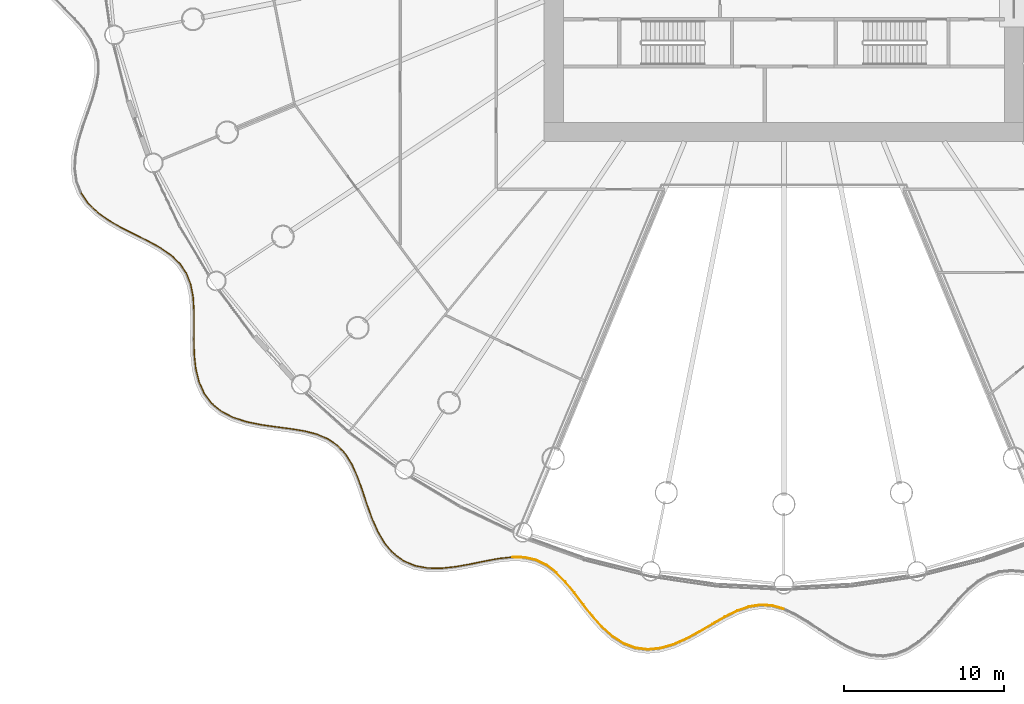
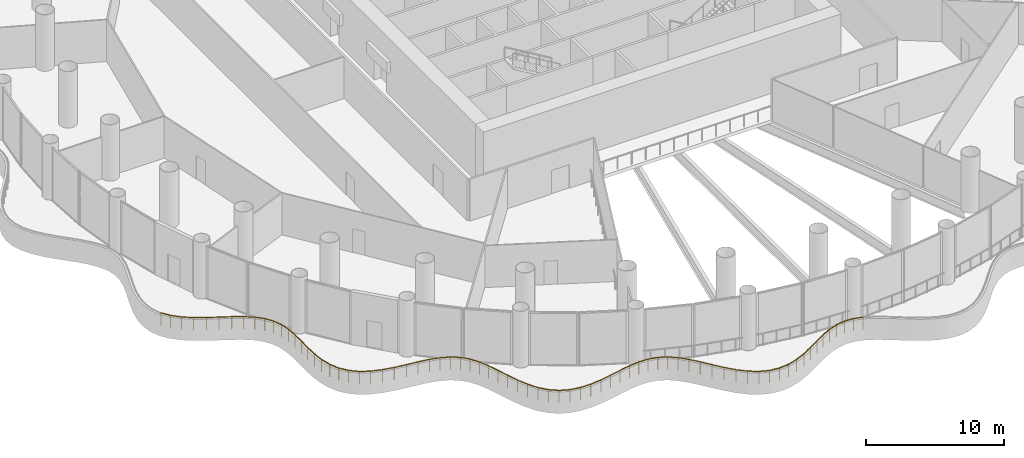
# One storey, part 29 of 36: 3 railings.
"""IFC4 building model written with IfcOpenShell, lengths in metres."""

from ifc_helpers import new_model, si_unit, direction, frame, origin, origin_2d, place, context, subcontext, project, spatial, circle, extrude, material, type_object, element, save


model = new_model("IFC4")

# Units and contexts
model_context = context("Model", 3, precision=1e-05, world=origin(), true_north=direction((0.0, 1.0)))
body_context = subcontext(model_context, "Body", "Model", "MODEL_VIEW")
ifc_project = project(units=[si_unit("LENGTHUNIT", "METRE"), si_unit("AREAUNIT", "SQUARE_METRE"), si_unit("VOLUMEUNIT", "CUBIC_METRE"), si_unit("PLANEANGLEUNIT", "RADIAN"), si_unit("MASSUNIT", "GRAM", prefix="KILO")], contexts=[model_context])

# Site, building, storey
site_placement = place(None, origin())
site = spatial("IfcSite", under=ifc_project, at=site_placement, CompositionType="ELEMENT")
building_placement = place(site_placement, origin())
building = spatial("IfcBuilding", under=site, at=building_placement, Name="Corvane Civic Tower", CompositionType="ELEMENT")
storey_placement = place(building_placement, frame((0.0, 0.0, 17.0)))
storey = spatial("IfcBuildingStorey", under=building, at=storey_placement, Name="L03", CompositionType="ELEMENT", Elevation=17.0)

# Railings
ifc_material = material(Name="Steel ASTM A572 Gr 50", Category="steel")
railing_type = type_object("IfcRailingType", Name="PODIUM-RL-GUARD-1100", PredefinedType="GUARDRAIL", material=ifc_material)
railing_1_placement = place(storey_placement, frame((-43.95751953125, -18.234130859375, 0.0)))
element("IfcRailing", 1, at=railing_1_placement, inside=storey, type_object=railing_type, Name="L03 ribbon guard 6", PredefinedType="GUARDRAIL", context=body_context, shape_type="SweptSolid", body=[
    extrude(circle(Radius=0.02392578125, at=origin_2d()), frame((0.0, 0.0, 1.076171875), z_axis=(0.564923088251, -0.825143565909, 0.0), x_axis=(0.825143565909, 0.564923088251, 0.0)), (0.0, 0.0, 1.0), 0.768310546875),
    extrude(circle(Radius=0.02392578125, at=origin_2d()), frame((0.43408203125, -0.634033203125, 1.076171875), z_axis=(0.718998120827, -0.695012015901, 0.0), x_axis=(0.695012015901, 0.718998120827, 0.0)), (0.0, 0.0, 1.0), 0.834716796875),
    extrude(circle(Radius=0.02392578125, at=origin_2d()), frame((1.0341796875, -1.214111328125, 1.076171875), z_axis=(0.815427285454, -0.578859518482, 0.0), x_axis=(0.578859518482, 0.815427285454, 0.0)), (0.0, 0.0, 1.0), 0.884521484375),
    extrude(circle(Radius=0.02392578125, at=origin_2d()), frame((1.75537109375, -1.72607421875, 1.076171875), z_axis=(0.869040218452, -0.494741446326, 0.0), x_axis=(0.494741446326, 0.869040218452, 0.0)), (0.0, 0.0, 1.0), 0.92236328125),
    extrude(circle(Radius=0.02392578125, at=origin_2d()), frame((2.556884765625, -2.182373046875, 1.076171875), z_axis=(0.893274995005, -0.449510604212, 0.0), x_axis=(0.449510604212, 0.893274995005, 0.0)), (0.0, 0.0, 1.0), 0.934814453125),
    extrude(circle(Radius=0.02392578125, at=origin_2d()), frame((3.391845703125, -2.6025390625, 1.076171875), z_axis=(0.895437895525, -0.445186449993, 0.0), x_axis=(0.445186449993, 0.895437895525, 0.0)), (0.0, 0.0, 1.0), 0.915771484375),
    extrude(circle(Radius=0.02392578125, at=origin_2d()), frame((4.2119140625, -3.01025390625, 1.076171875), z_axis=(0.874752887878, -0.484569277967, 0.0), x_axis=(0.484569277967, 0.874752887878, 0.0)), (0.0, 0.0, 1.0), 0.869140625),
    extrude(circle(Radius=0.02392578125, at=origin_2d()), frame((4.97216796875, -3.431396484375, 1.076171875), z_axis=(0.821570758338, -0.570106559377, 0.0), x_axis=(0.570106559377, 0.821570758338, 0.0)), (0.0, 0.0, 1.0), 0.806884765625),
    extrude(circle(Radius=0.02392578125, at=origin_2d()), frame((5.635009765625, -3.891357421875, 1.076171875), z_axis=(0.71905346714, -0.694954754926, 0.0), x_axis=(0.694954754926, 0.71905346714, 0.0)), (0.0, 0.0, 1.0), 0.749755859375),
    extrude(circle(Radius=0.02392578125, at=origin_2d()), frame((6.174072265625, -4.412353515625, 1.076171875), z_axis=(0.558210589536, -0.82969930561, 0.0), x_axis=(0.82969930561, 0.558210589536, 0.0)), (0.0, 0.0, 1.0), 0.72119140625),
    extrude(circle(Radius=0.02392578125, at=origin_2d()), frame((6.57666015625, -5.0107421875, 1.076171875), z_axis=(0.36444945393, -0.93122317171, 0.0), x_axis=(0.93122317171, 0.36444945393, 0.0)), (0.0, 0.0, 1.0), 0.73486328125),
    extrude(circle(Radius=0.02392578125, at=origin_2d()), frame((6.844482421875, -5.695068359375, 1.076171875), z_axis=(0.18970227519, -0.981841660752, 0.0), x_axis=(0.981841660752, 0.18970227519, 0.0)), (0.0, 0.0, 1.0), 0.78369140625),
    extrude(circle(Radius=0.02392578125, at=origin_2d()), frame((6.9931640625, -6.464599609375, 1.076171875), z_axis=(0.067437118765, -0.99772352634, 0.0), x_axis=(0.99772352634, 0.067437118765, 0.0)), (0.0, 0.0, 1.0), 0.84716796875),
    extrude(circle(Radius=0.02392578125, at=origin_2d()), frame((7.05029296875, -7.309814453125, 1.076171875), z_axis=(0.003250253688, -0.999994717912, 0.0), x_axis=(0.999994717912, 0.003250253688, 0.0)), (0.0, 0.0, 1.0), 0.9013671875),
    extrude(circle(Radius=0.02392578125, at=origin_2d()), frame((7.05322265625, -8.211181640625, 1.076171875), z_axis=(-0.009436015013, -0.999955479819, 0.0), x_axis=(0.999955479819, -0.009436015013, 0.0)), (0.0, 0.0, 1.0), 0.931396484375),
    extrude(circle(Radius=0.02392578125, at=origin_2d()), frame((7.04443359375, -9.142578125, 1.076171875), z_axis=(0.024933175743, -0.999689120051, 0.0), x_axis=(0.999689120051, 0.024933175743, 0.0)), (0.0, 0.0, 1.0), 0.93017578125),
    extrude(circle(Radius=0.02392578125, at=origin_2d()), frame((7.067626953125, -10.072509765625, 1.076171875), z_axis=(0.105997077035, -0.994366441338, 0.0), x_axis=(0.994366441338, 0.105997077035, 0.0)), (0.0, 0.0, 1.0), 0.900634765625),
    extrude(circle(Radius=0.02392578125, at=origin_2d()), frame((7.1630859375, -10.968017578125, 1.076171875), z_axis=(0.235796585795, -0.971802433691, 0.0), x_axis=(0.971802433691, 0.235796585795, 0.0)), (0.0, 0.0, 1.0), 0.853271484375),
    extrude(circle(Radius=0.02392578125, at=origin_2d()), frame((7.3642578125, -11.797119140625, 1.076171875), z_axis=(0.41001209647, -0.912080084613, 0.0), x_axis=(0.912080084613, 0.41001209647, 0.0)), (0.0, 0.0, 1.0), 0.80615234375),
    extrude(circle(Radius=0.02392578125, at=origin_2d()), frame((7.69482421875, -12.532470703125, 1.076171875), z_axis=(0.603049995362, -0.797703392931, 0.0), x_axis=(0.797703392931, 0.603049995362, 0.0)), (0.0, 0.0, 1.0), 0.780029296875),
    extrude(circle(Radius=0.02392578125, at=origin_2d()), frame((8.165283203125, -13.15478515625, 1.076171875), z_axis=(0.773127936515, -0.634250103492, 0.0), x_axis=(0.634250103492, 0.773127936515, 0.0)), (0.0, 0.0, 1.0), 0.78759765625),
    extrude(circle(Radius=0.02392578125, at=origin_2d()), frame((8.774169921875, -13.654296875, 1.076171875), z_axis=(0.888608978044, -0.458665547148, 0.0), x_axis=(0.458665547148, 0.888608978044, 0.0)), (0.0, 0.0, 1.0), 0.824462890625),
    extrude(circle(Radius=0.02392578125, at=origin_2d()), frame((9.5068359375, -14.032470703125, 1.076171875), z_axis=(0.951112018986, -0.308846122431, 0.0), x_axis=(0.308846122431, 0.951112018986, 0.0)), (0.0, 0.0, 1.0), 0.874267578125),
    extrude(circle(Radius=0.02392578125, at=origin_2d()), frame((10.33837890625, -14.302490234375, 1.076171875), z_axis=(0.979350284104, -0.202170771935, 0.0), x_axis=(0.202170771935, 0.979350284104, 0.0)), (0.0, 0.0, 1.0), 0.89111328125),
    extrude(circle(Radius=0.02099609375, at=origin_2d()), origin(), (0.0, 0.0, 1.0), 1.052001953125),
    extrude(circle(Radius=0.02099609375, at=origin_2d()), frame((0.43408203125, -0.634033203125, 0.0)), (0.0, 0.0, 1.0), 1.052001953125),
    extrude(circle(Radius=0.02099609375, at=origin_2d()), frame((1.0341796875, -1.214111328125, 0.0)), (0.0, 0.0, 1.0), 1.052001953125),
    extrude(circle(Radius=0.02099609375, at=origin_2d()), frame((1.75537109375, -1.72607421875, 0.0)), (0.0, 0.0, 1.0), 1.052001953125),
    extrude(circle(Radius=0.02099609375, at=origin_2d()), frame((2.556884765625, -2.182373046875, 0.0)), (0.0, 0.0, 1.0), 1.052001953125),
    extrude(circle(Radius=0.02099609375, at=origin_2d()), frame((3.391845703125, -2.6025390625, 0.0)), (0.0, 0.0, 1.0), 1.052001953125),
    extrude(circle(Radius=0.02099609375, at=origin_2d()), frame((4.2119140625, -3.01025390625, 0.0)), (0.0, 0.0, 1.0), 1.052001953125),
    extrude(circle(Radius=0.02099609375, at=origin_2d()), frame((4.97216796875, -3.431396484375, 0.0)), (0.0, 0.0, 1.0), 1.052001953125),
    extrude(circle(Radius=0.02099609375, at=origin_2d()), frame((5.635009765625, -3.891357421875, 0.0)), (0.0, 0.0, 1.0), 1.052001953125),
    extrude(circle(Radius=0.02099609375, at=origin_2d()), frame((6.174072265625, -4.412353515625, 0.0)), (0.0, 0.0, 1.0), 1.052001953125),
    extrude(circle(Radius=0.02099609375, at=origin_2d()), frame((6.57666015625, -5.0107421875, 0.0)), (0.0, 0.0, 1.0), 1.052001953125),
    extrude(circle(Radius=0.02099609375, at=origin_2d()), frame((6.844482421875, -5.695068359375, 0.0)), (0.0, 0.0, 1.0), 1.052001953125),
    extrude(circle(Radius=0.02099609375, at=origin_2d()), frame((6.9931640625, -6.464599609375, 0.0)), (0.0, 0.0, 1.0), 1.052001953125),
    extrude(circle(Radius=0.02099609375, at=origin_2d()), frame((7.05029296875, -7.309814453125, 0.0)), (0.0, 0.0, 1.0), 1.052001953125),
    extrude(circle(Radius=0.02099609375, at=origin_2d()), frame((7.05322265625, -8.211181640625, 0.0)), (0.0, 0.0, 1.0), 1.052001953125),
    extrude(circle(Radius=0.02099609375, at=origin_2d()), frame((7.04443359375, -9.142578125, 0.0)), (0.0, 0.0, 1.0), 1.052001953125),
    extrude(circle(Radius=0.02099609375, at=origin_2d()), frame((7.067626953125, -10.072509765625, 0.0)), (0.0, 0.0, 1.0), 1.052001953125),
    extrude(circle(Radius=0.02099609375, at=origin_2d()), frame((7.1630859375, -10.968017578125, 0.0)), (0.0, 0.0, 1.0), 1.052001953125),
    extrude(circle(Radius=0.02099609375, at=origin_2d()), frame((7.3642578125, -11.797119140625, 0.0)), (0.0, 0.0, 1.0), 1.052001953125),
    extrude(circle(Radius=0.02099609375, at=origin_2d()), frame((7.69482421875, -12.532470703125, 0.0)), (0.0, 0.0, 1.0), 1.052001953125),
    extrude(circle(Radius=0.02099609375, at=origin_2d()), frame((8.165283203125, -13.15478515625, 0.0)), (0.0, 0.0, 1.0), 1.052001953125),
    extrude(circle(Radius=0.02099609375, at=origin_2d()), frame((8.774169921875, -13.654296875, 0.0)), (0.0, 0.0, 1.0), 1.052001953125),
    extrude(circle(Radius=0.02099609375, at=origin_2d()), frame((9.5068359375, -14.032470703125, 0.0)), (0.0, 0.0, 1.0), 1.052001953125),
    extrude(circle(Radius=0.02099609375, at=origin_2d()), frame((10.33837890625, -14.302490234375, 0.0)), (0.0, 0.0, 1.0), 1.052001953125),
    extrude(circle(Radius=0.02099609375, at=origin_2d()), frame((11.211181640625, -14.482666015625, 0.0)), (0.0, 0.0, 1.0), 1.052001953125),
])
railing_2_placement = place(storey_placement, frame((-32.697265625, -32.7255859375, 0.0)))
element("IfcRailing", 2, at=railing_2_placement, inside=storey, type_object=railing_type, Name="L03 ribbon guard 7", PredefinedType="GUARDRAIL", context=body_context, shape_type="SweptSolid", body=[
    extrude(circle(Radius=0.02392578125, at=origin_2d()), frame((0.0, 0.0, 1.076171875), z_axis=(0.989868812418, -0.141984978788, 0.0), x_axis=(0.141984978788, 0.989868812418, 0.0)), (0.0, 0.0, 1.0), 0.90966796875),
    extrude(circle(Radius=0.02392578125, at=origin_2d()), frame((0.900390625, -0.129150390625, 1.076171875), z_axis=(0.991831949658, -0.12755149406, 0.0), x_axis=(0.12755149406, 0.991831949658, 0.0)), (0.0, 0.0, 1.0), 0.922607421875),
    extrude(circle(Radius=0.02392578125, at=origin_2d()), frame((1.8154296875, -0.246826171875, 1.076171875), z_axis=(0.987030777898, -0.160531129327, 0.0), x_axis=(0.160531129327, 0.987030777898, 0.0)), (0.0, 0.0, 1.0), 0.880615234375),
    extrude(circle(Radius=0.02392578125, at=origin_2d()), frame((2.6845703125, -0.38818359375, 1.076171875), z_axis=(0.968940471293, -0.2472940822, 0.0), x_axis=(0.2472940822, 0.968940471293, 0.0)), (0.0, 0.0, 1.0), 0.8203125),
    extrude(circle(Radius=0.02392578125, at=origin_2d()), frame((3.4794921875, -0.591064453125, 1.076171875), z_axis=(0.921635375138, -0.388057000058, 0.0), x_axis=(0.388057000058, 0.921635375138, 0.0)), (0.0, 0.0, 1.0), 0.760009765625),
    extrude(circle(Radius=0.02392578125, at=origin_2d()), frame((4.179931640625, -0.885986328125, 1.076171875), z_axis=(0.824769290196, -0.565469378437, 0.0), x_axis=(0.565469378437, 0.824769290196, 0.0)), (0.0, 0.0, 1.0), 0.72412109375),
    extrude(circle(Radius=0.02392578125, at=origin_2d()), frame((4.777099609375, -1.29541015625, 1.076171875), z_axis=(0.680129605089, -0.733091890749, 0.0), x_axis=(0.733091890749, 0.680129605089, 0.0)), (0.0, 0.0, 1.0), 0.728271484375),
    extrude(circle(Radius=0.02392578125, at=origin_2d()), frame((5.2724609375, -1.829345703125, 1.076171875), z_axis=(0.527095063724, -0.849806327229, 0.0), x_axis=(0.849806327229, 0.527095063724, 0.0)), (0.0, 0.0, 1.0), 0.771728515625),
    extrude(circle(Radius=0.02392578125, at=origin_2d()), frame((5.67919921875, -2.485107421875, 1.076171875), z_axis=(0.407062095939, -0.913400487218, 0.0), x_axis=(0.913400487218, 0.407062095939, 0.0)), (0.0, 0.0, 1.0), 0.833740234375),
    extrude(circle(Radius=0.02392578125, at=origin_2d()), frame((6.0185546875, -3.24658203125, 1.076171875), z_axis=(0.336284353127, -0.94176049707, 0.0), x_axis=(0.94176049707, 0.336284353127, 0.0)), (0.0, 0.0, 1.0), 0.8916015625),
    extrude(circle(Radius=0.02392578125, at=origin_2d()), frame((6.318359375, -4.086181640625, 1.076171875), z_axis=(0.314490302108, -0.949260685945, 0.0), x_axis=(0.949260685945, 0.314490302108, 0.0)), (0.0, 0.0, 1.0), 0.927734375),
    extrude(circle(Radius=0.02392578125, at=origin_2d()), frame((6.610107421875, -4.966796875, 1.076171875), z_axis=(0.337496288976, -0.941326858709, 0.0), x_axis=(0.941326858709, 0.337496288976, 0.0)), (0.0, 0.0, 1.0), 0.93310546875),
    extrude(circle(Radius=0.02392578125, at=origin_2d()), frame((6.925048828125, -5.84521484375, 1.076171875), z_axis=(0.404043622694, -0.914739717603, 0.0), x_axis=(0.914739717603, 0.404043622694, 0.0)), (0.0, 0.0, 1.0), 0.90869140625),
    extrude(circle(Radius=0.02392578125, at=origin_2d()), frame((7.292236328125, -6.676513671875, 1.076171875), z_axis=(0.511250319836, -0.859431853301, 0.0), x_axis=(0.859431853301, 0.511250319836, 0.0)), (0.0, 0.0, 1.0), 0.86376953125),
    extrude(circle(Radius=0.02392578125, at=origin_2d()), frame((7.73388671875, -7.4189453125, 1.076171875), z_axis=(0.651925594689, -0.758282941249, 0.0), x_axis=(0.758282941249, 0.651925594689, 0.0)), (0.0, 0.0, 1.0), 0.81494140625),
    extrude(circle(Radius=0.02392578125, at=origin_2d()), frame((8.26513671875, -8.036865234375, 1.076171875), z_axis=(0.800859579337, -0.598852180579, 0.0), x_axis=(0.598852180579, 0.800859579337, 0.0)), (0.0, 0.0, 1.0), 0.783203125),
    extrude(circle(Radius=0.02392578125, at=origin_2d()), frame((8.892333984375, -8.505859375, 1.076171875), z_axis=(0.919080514782, -0.394069800096, 0.0), x_axis=(0.394069800096, 0.919080514782, 0.0)), (0.0, 0.0, 1.0), 0.783203125),
    extrude(circle(Radius=0.02392578125, at=origin_2d()), frame((9.612060546875, -8.814453125, 1.076171875), z_axis=(0.982654443902, -0.185446067309, 0.0), x_axis=(0.185446067309, 0.982654443902, 0.0)), (0.0, 0.0, 1.0), 0.81494140625),
    extrude(circle(Radius=0.02392578125, at=origin_2d()), frame((10.412841796875, -8.965576171875, 1.076171875), z_axis=(0.999911774813, -0.013283169422, 0.0), x_axis=(0.013283169422, 0.999911774813, 0.0)), (0.0, 0.0, 1.0), 0.86376953125),
    extrude(circle(Radius=0.02392578125, at=origin_2d()), frame((11.276611328125, -8.97705078125, 1.076171875), z_axis=(0.994181417549, 0.107718656697, 0.0), x_axis=(-0.107718656697, 0.994181417549, 0.0)), (0.0, 0.0, 1.0), 0.908935546875),
    extrude(circle(Radius=0.02392578125, at=origin_2d()), frame((12.18017578125, -8.879150390625, 1.076171875), z_axis=(0.983999420882, 0.178171657969, 0.0), x_axis=(-0.178171657969, 0.983999420882, 0.0)), (0.0, 0.0, 1.0), 0.93310546875),
    extrude(circle(Radius=0.02392578125, at=origin_2d()), frame((13.098388671875, -8.712890625, 1.076171875), z_axis=(0.979305409601, 0.202388030095, 0.0), x_axis=(-0.202388030095, 0.979305409601, 0.0)), (0.0, 0.0, 1.0), 0.927734375),
    extrude(circle(Radius=0.02392578125, at=origin_2d()), frame((14.0068359375, -8.525146484375, 1.076171875), z_axis=(0.983729388064, 0.179656592029, 0.0), x_axis=(-0.179656592029, 0.983729388064, 0.0)), (0.0, 0.0, 1.0), 0.891357421875),
    extrude(circle(Radius=0.02392578125, at=origin_2d()), frame((14.8837890625, -8.364990234375, 1.076171875), z_axis=(0.994563188022, 0.104134840627, 0.0), x_axis=(-0.104134840627, 0.994563188022, 0.0)), (0.0, 0.0, 1.0), 0.808837890625),
    extrude(circle(Radius=0.02099609375, at=origin_2d()), origin(), (0.0, 0.0, 1.0), 1.052001953125),
    extrude(circle(Radius=0.02099609375, at=origin_2d()), frame((0.900390625, -0.129150390625, 0.0)), (0.0, 0.0, 1.0), 1.052001953125),
    extrude(circle(Radius=0.02099609375, at=origin_2d()), frame((1.8154296875, -0.246826171875, 0.0)), (0.0, 0.0, 1.0), 1.052001953125),
    extrude(circle(Radius=0.02099609375, at=origin_2d()), frame((2.6845703125, -0.38818359375, 0.0)), (0.0, 0.0, 1.0), 1.052001953125),
    extrude(circle(Radius=0.02099609375, at=origin_2d()), frame((3.4794921875, -0.591064453125, 0.0)), (0.0, 0.0, 1.0), 1.052001953125),
    extrude(circle(Radius=0.02099609375, at=origin_2d()), frame((4.179931640625, -0.885986328125, 0.0)), (0.0, 0.0, 1.0), 1.052001953125),
    extrude(circle(Radius=0.02099609375, at=origin_2d()), frame((4.777099609375, -1.29541015625, 0.0)), (0.0, 0.0, 1.0), 1.052001953125),
    extrude(circle(Radius=0.02099609375, at=origin_2d()), frame((5.2724609375, -1.829345703125, 0.0)), (0.0, 0.0, 1.0), 1.052001953125),
    extrude(circle(Radius=0.02099609375, at=origin_2d()), frame((5.67919921875, -2.485107421875, 0.0)), (0.0, 0.0, 1.0), 1.052001953125),
    extrude(circle(Radius=0.02099609375, at=origin_2d()), frame((6.0185546875, -3.24658203125, 0.0)), (0.0, 0.0, 1.0), 1.052001953125),
    extrude(circle(Radius=0.02099609375, at=origin_2d()), frame((6.318359375, -4.086181640625, 0.0)), (0.0, 0.0, 1.0), 1.052001953125),
    extrude(circle(Radius=0.02099609375, at=origin_2d()), frame((6.610107421875, -4.966796875, 0.0)), (0.0, 0.0, 1.0), 1.052001953125),
    extrude(circle(Radius=0.02099609375, at=origin_2d()), frame((6.925048828125, -5.84521484375, 0.0)), (0.0, 0.0, 1.0), 1.052001953125),
    extrude(circle(Radius=0.02099609375, at=origin_2d()), frame((7.292236328125, -6.676513671875, 0.0)), (0.0, 0.0, 1.0), 1.052001953125),
    extrude(circle(Radius=0.02099609375, at=origin_2d()), frame((7.73388671875, -7.4189453125, 0.0)), (0.0, 0.0, 1.0), 1.052001953125),
    extrude(circle(Radius=0.02099609375, at=origin_2d()), frame((8.26513671875, -8.036865234375, 0.0)), (0.0, 0.0, 1.0), 1.052001953125),
    extrude(circle(Radius=0.02099609375, at=origin_2d()), frame((8.892333984375, -8.505859375, 0.0)), (0.0, 0.0, 1.0), 1.052001953125),
    extrude(circle(Radius=0.02099609375, at=origin_2d()), frame((9.612060546875, -8.814453125, 0.0)), (0.0, 0.0, 1.0), 1.052001953125),
    extrude(circle(Radius=0.02099609375, at=origin_2d()), frame((10.412841796875, -8.965576171875, 0.0)), (0.0, 0.0, 1.0), 1.052001953125),
    extrude(circle(Radius=0.02099609375, at=origin_2d()), frame((11.276611328125, -8.97705078125, 0.0)), (0.0, 0.0, 1.0), 1.052001953125),
    extrude(circle(Radius=0.02099609375, at=origin_2d()), frame((12.18017578125, -8.879150390625, 0.0)), (0.0, 0.0, 1.0), 1.052001953125),
    extrude(circle(Radius=0.02099609375, at=origin_2d()), frame((13.098388671875, -8.712890625, 0.0)), (0.0, 0.0, 1.0), 1.052001953125),
    extrude(circle(Radius=0.02099609375, at=origin_2d()), frame((14.0068359375, -8.525146484375, 0.0)), (0.0, 0.0, 1.0), 1.052001953125),
    extrude(circle(Radius=0.02099609375, at=origin_2d()), frame((14.8837890625, -8.364990234375, 0.0)), (0.0, 0.0, 1.0), 1.052001953125),
    extrude(circle(Radius=0.02099609375, at=origin_2d()), frame((15.688232421875, -8.28076171875, 0.0)), (0.0, 0.0, 1.0), 1.052001953125),
])
railing_3_placement = place(storey_placement, frame((-16.958984375, -41.00439453125, 0.0)))
element("IfcRailing", 3, at=railing_3_placement, inside=storey, type_object=railing_type, Name="L03 ribbon guard 8", PredefinedType="GUARDRAIL", context=body_context, shape_type="SweptSolid", body=[
    extrude(circle(Radius=0.02392578125, at=origin_2d()), frame((0.0, 0.0, 1.076171875), z_axis=(0.999506634758, -0.031408391796, 0.0), x_axis=(0.031408391796, 0.999506634758, 0.0)), (0.0, 0.0, 1.0), 0.746337890625),
    extrude(circle(Radius=0.02392578125, at=origin_2d()), frame((0.745849609375, -0.0234375, 1.076171875), z_axis=(0.974852266638, -0.222852099455, 0.0), x_axis=(0.222852099455, 0.974852266638, 0.0)), (0.0, 0.0, 1.0), 0.728515625),
    extrude(circle(Radius=0.02392578125, at=origin_2d()), frame((1.4560546875, -0.185791015625, 1.076171875), z_axis=(0.902179876874, -0.431360023373, 0.0), x_axis=(0.431360023373, 0.902179876874, 0.0)), (0.0, 0.0, 1.0), 0.723876953125),
    extrude(circle(Radius=0.02392578125, at=origin_2d()), frame((2.109130859375, -0.498046875, 1.076171875), z_axis=(0.796867223866, -0.604154473233, 0.0), x_axis=(0.604154473233, 0.796867223866, 0.0)), (0.0, 0.0, 1.0), 0.760009765625),
    extrude(circle(Radius=0.02392578125, at=origin_2d()), frame((2.71484375, -0.957275390625, 1.076171875), z_axis=(0.698573011535, -0.715538781308, 0.0), x_axis=(0.715538781308, 0.698573011535, 0.0)), (0.0, 0.0, 1.0), 0.8203125),
    extrude(circle(Radius=0.02392578125, at=origin_2d()), frame((3.287841796875, -1.544189453125, 1.076171875), z_axis=(0.632739607514, -0.774364635739, 0.0), x_axis=(0.774364635739, 0.632739607514, 0.0)), (0.0, 0.0, 1.0), 0.880859375),
    extrude(circle(Radius=0.02392578125, at=origin_2d()), frame((3.84521484375, -2.226318359375, 1.076171875), z_axis=(0.606250579287, -0.795273685667, 0.0), x_axis=(0.795273685667, 0.606250579287, 0.0)), (0.0, 0.0, 1.0), 0.922119140625),
    extrude(circle(Radius=0.02392578125, at=origin_2d()), frame((4.404296875, -2.959716796875, 1.076171875), z_axis=(0.617983033731, -0.786191433444, 0.0), x_axis=(0.786191433444, 0.617983033731, 0.0)), (0.0, 0.0, 1.0), 0.934814453125),
    extrude(circle(Radius=0.02392578125, at=origin_2d()), frame((4.98193359375, -3.694580078125, 1.076171875), z_axis=(0.664876433577, -0.746953364055, 0.0), x_axis=(0.746953364055, 0.664876433577, 0.0)), (0.0, 0.0, 1.0), 0.916259765625),
    extrude(circle(Radius=0.02392578125, at=origin_2d()), frame((5.591064453125, -4.37890625, 1.076171875), z_axis=(0.743141376178, -0.669134437175, 0.0), x_axis=(0.669134437175, 0.743141376178, 0.0)), (0.0, 0.0, 1.0), 0.874267578125),
    extrude(circle(Radius=0.02392578125, at=origin_2d()), frame((6.24072265625, -4.9638671875, 1.076171875), z_axis=(0.841447725279, -0.540338528724, 0.0), x_axis=(0.540338528724, 0.841447725279, 0.0)), (0.0, 0.0, 1.0), 0.82470703125),
    extrude(circle(Radius=0.02392578125, at=origin_2d()), frame((6.9345703125, -5.409423828125, 1.076171875), z_axis=(0.93579289965, -0.352550207721, 0.0), x_axis=(0.352550207721, 0.93579289965, 0.0)), (0.0, 0.0, 1.0), 0.787353515625),
    extrude(circle(Radius=0.02392578125, at=origin_2d()), frame((7.67138671875, -5.68701171875, 1.076171875), z_axis=(0.992330745237, -0.12361105152, 0.0), x_axis=(0.12361105152, 0.992330745237, 0.0)), (0.0, 0.0, 1.0), 0.7802734375),
    extrude(circle(Radius=0.02392578125, at=origin_2d()), frame((8.445556640625, -5.783447265625, 1.076171875), z_axis=(0.994874001102, 0.101122311737, 0.0), x_axis=(-0.101122311737, 0.994874001102, 0.0)), (0.0, 0.0, 1.0), 0.806396484375),
    extrude(circle(Radius=0.02392578125, at=origin_2d()), frame((9.247802734375, -5.701904296875, 1.076171875), z_axis=(0.959533934686, 0.281593018709, 0.0), x_axis=(-0.281593018709, 0.959533934686, 0.0)), (0.0, 0.0, 1.0), 0.85302734375),
    extrude(circle(Radius=0.02392578125, at=origin_2d()), frame((10.06640625, -5.461669921875, 1.076171875), z_axis=(0.914180103654, 0.405308201353, 0.0), x_axis=(-0.405308201353, 0.914180103654, 0.0)), (0.0, 0.0, 1.0), 0.900634765625),
    extrude(circle(Radius=0.02392578125, at=origin_2d()), frame((10.8896484375, -5.0966796875, 1.076171875), z_axis=(0.878186201729, 0.478318926128, 0.0), x_axis=(-0.478318926128, 0.878186201729, 0.0)), (0.0, 0.0, 1.0), 0.930419921875),
    extrude(circle(Radius=0.02392578125, at=origin_2d()), frame((11.706787109375, -4.651611328125, 1.076171875), z_axis=(0.861171719591, 0.50831414438, 0.0), x_axis=(-0.50831414438, 0.861171719591, 0.0)), (0.0, 0.0, 1.0), 0.931396484375),
    extrude(circle(Radius=0.02392578125, at=origin_2d()), frame((12.5087890625, -4.17822265625, 1.076171875), z_axis=(0.867642581652, 0.497188445666, 0.0), x_axis=(-0.497188445666, 0.867642581652, 0.0)), (0.0, 0.0, 1.0), 0.901611328125),
    extrude(circle(Radius=0.02392578125, at=origin_2d()), frame((13.291015625, -3.72998046875, 1.076171875), z_axis=(0.897860384809, 0.440280285036, 0.0), x_axis=(-0.440280285036, 0.897860384809, 0.0)), (0.0, 0.0, 1.0), 0.8466796875),
    extrude(circle(Radius=0.02392578125, at=origin_2d()), frame((14.05126953125, -3.357177734375, 1.076171875), z_axis=(0.945041590136, 0.326950138268, 0.0), x_axis=(-0.326950138268, 0.945041590136, 0.0)), (0.0, 0.0, 1.0), 0.783935546875),
    extrude(circle(Radius=0.02392578125, at=origin_2d()), frame((14.792236328125, -3.100830078125, 1.076171875), z_axis=(0.988711030335, 0.149834904127, 0.0), x_axis=(-0.149834904127, 0.988711030335, 0.0)), (0.0, 0.0, 1.0), 0.73486328125),
    extrude(circle(Radius=0.02392578125, at=origin_2d()), frame((15.518798828125, -2.99072265625, 1.076171875), z_axis=(0.997635933822, -0.068720765038, 0.0), x_axis=(0.068720765038, 0.997635933822, 0.0)), (0.0, 0.0, 1.0), 0.72119140625),
    extrude(circle(Radius=0.02392578125, at=origin_2d()), frame((16.23828125, -3.040283203125, 1.076171875), z_axis=(0.961294828304, -0.275521783305, 0.0), x_axis=(0.275521783305, 0.961294828304, 0.0)), (0.0, 0.0, 1.0), 0.724853515625),
    extrude(circle(Radius=0.02099609375, at=origin_2d()), origin(), (0.0, 0.0, 1.0), 1.052001953125),
    extrude(circle(Radius=0.02099609375, at=origin_2d()), frame((0.745849609375, -0.0234375, 0.0)), (0.0, 0.0, 1.0), 1.052001953125),
    extrude(circle(Radius=0.02099609375, at=origin_2d()), frame((1.4560546875, -0.185791015625, 0.0)), (0.0, 0.0, 1.0), 1.052001953125),
    extrude(circle(Radius=0.02099609375, at=origin_2d()), frame((2.109130859375, -0.498046875, 0.0)), (0.0, 0.0, 1.0), 1.052001953125),
    extrude(circle(Radius=0.02099609375, at=origin_2d()), frame((2.71484375, -0.957275390625, 0.0)), (0.0, 0.0, 1.0), 1.052001953125),
    extrude(circle(Radius=0.02099609375, at=origin_2d()), frame((3.287841796875, -1.544189453125, 0.0)), (0.0, 0.0, 1.0), 1.052001953125),
    extrude(circle(Radius=0.02099609375, at=origin_2d()), frame((3.84521484375, -2.226318359375, 0.0)), (0.0, 0.0, 1.0), 1.052001953125),
    extrude(circle(Radius=0.02099609375, at=origin_2d()), frame((4.404296875, -2.959716796875, 0.0)), (0.0, 0.0, 1.0), 1.052001953125),
    extrude(circle(Radius=0.02099609375, at=origin_2d()), frame((4.98193359375, -3.694580078125, 0.0)), (0.0, 0.0, 1.0), 1.052001953125),
    extrude(circle(Radius=0.02099609375, at=origin_2d()), frame((5.591064453125, -4.37890625, 0.0)), (0.0, 0.0, 1.0), 1.052001953125),
    extrude(circle(Radius=0.02099609375, at=origin_2d()), frame((6.24072265625, -4.9638671875, 0.0)), (0.0, 0.0, 1.0), 1.052001953125),
    extrude(circle(Radius=0.02099609375, at=origin_2d()), frame((6.9345703125, -5.409423828125, 0.0)), (0.0, 0.0, 1.0), 1.052001953125),
    extrude(circle(Radius=0.02099609375, at=origin_2d()), frame((7.67138671875, -5.68701171875, 0.0)), (0.0, 0.0, 1.0), 1.052001953125),
    extrude(circle(Radius=0.02099609375, at=origin_2d()), frame((8.445556640625, -5.783447265625, 0.0)), (0.0, 0.0, 1.0), 1.052001953125),
    extrude(circle(Radius=0.02099609375, at=origin_2d()), frame((9.247802734375, -5.701904296875, 0.0)), (0.0, 0.0, 1.0), 1.052001953125),
    extrude(circle(Radius=0.02099609375, at=origin_2d()), frame((10.06640625, -5.461669921875, 0.0)), (0.0, 0.0, 1.0), 1.052001953125),
    extrude(circle(Radius=0.02099609375, at=origin_2d()), frame((10.8896484375, -5.0966796875, 0.0)), (0.0, 0.0, 1.0), 1.052001953125),
    extrude(circle(Radius=0.02099609375, at=origin_2d()), frame((11.706787109375, -4.651611328125, 0.0)), (0.0, 0.0, 1.0), 1.052001953125),
    extrude(circle(Radius=0.02099609375, at=origin_2d()), frame((12.5087890625, -4.17822265625, 0.0)), (0.0, 0.0, 1.0), 1.052001953125),
    extrude(circle(Radius=0.02099609375, at=origin_2d()), frame((13.291015625, -3.72998046875, 0.0)), (0.0, 0.0, 1.0), 1.052001953125),
    extrude(circle(Radius=0.02099609375, at=origin_2d()), frame((14.05126953125, -3.357177734375, 0.0)), (0.0, 0.0, 1.0), 1.052001953125),
    extrude(circle(Radius=0.02099609375, at=origin_2d()), frame((14.792236328125, -3.100830078125, 0.0)), (0.0, 0.0, 1.0), 1.052001953125),
    extrude(circle(Radius=0.02099609375, at=origin_2d()), frame((15.518798828125, -2.99072265625, 0.0)), (0.0, 0.0, 1.0), 1.052001953125),
    extrude(circle(Radius=0.02099609375, at=origin_2d()), frame((16.23828125, -3.040283203125, 0.0)), (0.0, 0.0, 1.0), 1.052001953125),
    extrude(circle(Radius=0.02099609375, at=origin_2d()), frame((16.93505859375, -3.239990234375, 0.0)), (0.0, 0.0, 1.0), 1.052001953125),
])

save(model, "model.ifc")
